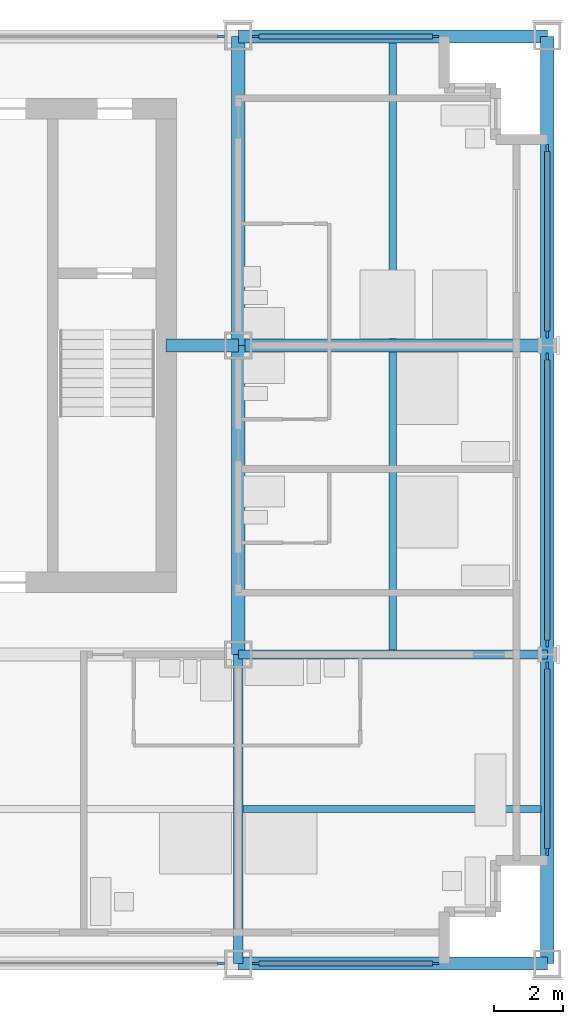
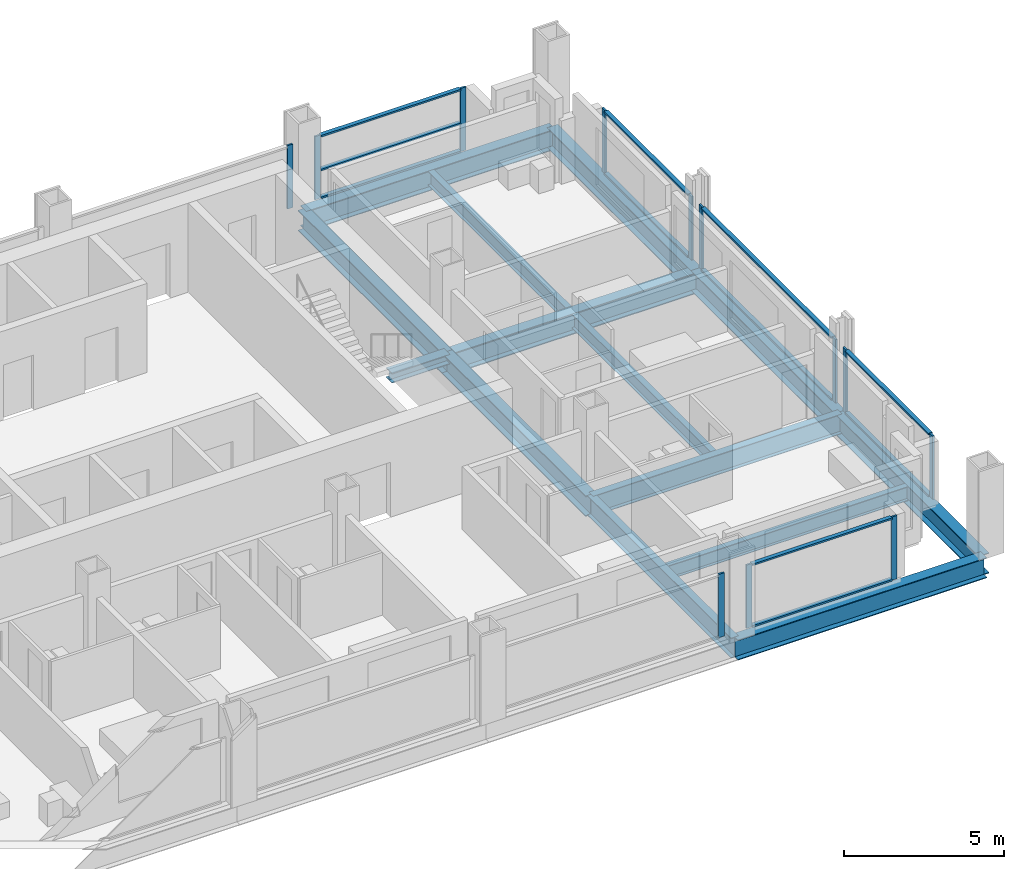
# One storey, part 5 of 14: 24 members, 13 beams, 7 elements without a shape of their own.
"""IFC4 building model written with IfcOpenShell, lengths in metres."""

from ifc_helpers import new_model, si_unit, direction, frame, origin, origin_2d, place, context, subcontext, project, spatial, rectangle, i_section, extrude, material, material_profile, profile_set, type_object, element, aggregate, save


model = new_model("IFC4")

# Units and contexts
model_context = context("Model", 3, precision=1e-05, world=origin(), true_north=direction((0.0, 1.0)))
body_context = subcontext(model_context, "Body", "Model", "MODEL_VIEW")
ifc_project = project(units=[si_unit("LENGTHUNIT", "METRE"), si_unit("AREAUNIT", "SQUARE_METRE"), si_unit("VOLUMEUNIT", "CUBIC_METRE"), si_unit("PLANEANGLEUNIT", "RADIAN"), si_unit("MASSUNIT", "GRAM", prefix="KILO")], contexts=[model_context])

# Site, building, storey
site_placement = place(None, origin())
site = spatial("IfcSite", under=ifc_project, at=site_placement, CompositionType="ELEMENT")
building_placement = place(site_placement, origin())
building = spatial("IfcBuilding", under=site, at=building_placement, Name="Loomwork Tower", CompositionType="ELEMENT")
storey_placement = place(building_placement, frame((0.0, 0.0, 170.60009765625)))
storey = spatial("IfcBuildingStorey", under=building, at=storey_placement, Name="L46", CompositionType="ELEMENT", Elevation=170.60009765625)

# Beams
ifc_material_1 = material(Name="Steel ASTM A992", Category="steel")
ifc_material_profile_1 = material_profile(ifc_material_1, i_section(OverallWidth=0.383544921875, OverallDepth=0.794921875, WebThickness=0.02099609375, FlangeThickness=0.0380859375, at=origin_2d()), Name="W30x235")
ifc_profile_set_1 = profile_set([ifc_material_profile_1], Name="Steel ASTM A992")
beam_type_1 = type_object("IfcBeamType", Name="CORE FLANK GIRDER W30x235", PredefinedType="BEAM", material=ifc_profile_set_1)
for number, where, z_axis, x_axis, name in (
    (1, (36.0, 18.0, -0.59765625), (1.0, 0.0, 0.0), (0.0, 1.0, 0.0), "Core Flank Girder F/6-F/7 L46"),
    (2, (36.0, 9.0, -0.59765625), (0.0, 1.0, 0.0), (-1.0, 0.0, 0.0), "Core Flank Girder E/6-F/6 L46"),
    (3, (36.0, 18.0, -0.59765625), (0.0, 1.0, 0.0), (-1.0, 0.0, 0.0), "Core Flank Girder F/6-G/6 L46"),
):
    element("IfcBeam", number, at=place(storey_placement, frame(where, z_axis=z_axis, x_axis=x_axis)), inside=storey, type_object=beam_type_1, Name=name, PredefinedType="BEAM", context=body_context, shape_type="SweptSolid", body=[
        extrude(i_section(OverallWidth=0.383544921875, OverallDepth=0.794921875, WebThickness=0.02099609375, FlangeThickness=0.0380859375, at=origin_2d()), origin(), (0.0, 0.0, 1.0), 9.0),
    ])

# Member
ifc_material_2 = material(Name="Steel ASTM A992", Category="steel")
ifc_material_profile_2 = material_profile(ifc_material_2, i_section(OverallWidth=0.373291015625, OverallDepth=0.373291015625, WebThickness=0.016357421875, FlangeThickness=0.026123046875, at=origin_2d()), Name="W14x132")
ifc_profile_set_2 = profile_set([ifc_material_profile_2], Name="Steel ASTM A992")
member_type_1 = type_object("IfcMemberType", Name="CORE LINK STRUT W14x132", PredefinedType="STRUT", material=ifc_profile_set_2)
member_1_placement = place(storey_placement, frame((36.0, 18.0, -0.38671875), z_axis=(-1.0, 0.0, 0.0), x_axis=(0.0, -1.0, 0.0)))
element("IfcMember", 4, at=member_1_placement, inside=storey, type_object=member_type_1, Name="Core link strut F/6-33.900,18.000 L46", PredefinedType="STRUT", context=body_context, shape_type="SweptSolid", body=[
    extrude(i_section(OverallWidth=0.373291015625, OverallDepth=0.373291015625, WebThickness=0.016357421875, FlangeThickness=0.026123046875, at=origin_2d()), origin(), (0.0, 0.0, 1.0), 2.10009765625),
])

# Beams
ifc_material_3 = material(Name="Steel ASTM A992", Category="steel")
ifc_material_profile_3 = material_profile(ifc_material_3, i_section(OverallWidth=0.2666015625, OverallDepth=0.761962890625, WebThickness=0.014404296875, FlangeThickness=0.021484375, at=origin_2d()), Name="W30x116")
ifc_profile_set_3 = profile_set([ifc_material_profile_3], Name="Steel ASTM A992")
beam_type_2 = type_object("IfcBeamType", Name="FLOOR GIRDER W30x116", PredefinedType="BEAM", material=ifc_profile_set_3)
for number, where, z_axis, x_axis, name in (
    (5, (36.0, 9.0, -0.5810546875), (1.0, 0.0, 0.0), (0.0, 1.0, 0.0), "Floor Girder E/6-E/7 L46"),
    (6, (36.0, 0.0, -0.5810546875), (0.0, 1.0, 0.0), (-1.0, 0.0, 0.0), "Floor Girder D/6-E/6 L46"),
):
    element("IfcBeam", number, at=place(storey_placement, frame(where, z_axis=z_axis, x_axis=x_axis)), inside=storey, type_object=beam_type_2, Name=name, PredefinedType="BEAM", context=body_context, shape_type="SweptSolid", body=[
        extrude(i_section(OverallWidth=0.2666015625, OverallDepth=0.761962890625, WebThickness=0.014404296875, FlangeThickness=0.021484375, at=origin_2d()), origin(), (0.0, 0.0, 1.0), 9.0),
    ])
ifc_material_4 = material(Name="Steel ASTM A992", Category="steel")
ifc_material_profile_4 = material_profile(ifc_material_4, i_section(OverallWidth=0.2109375, OverallDepth=0.53857421875, WebThickness=0.011474609375, FlangeThickness=0.018798828125, at=origin_2d()), Name="W21x73")
ifc_profile_set_4 = profile_set([ifc_material_profile_4], Name="Steel ASTM A992")
beam_type_3 = type_object("IfcBeamType", Name="FLOOR JOIST W21x73", PredefinedType="JOIST", material=ifc_profile_set_4)
beam_1_placement = place(storey_placement, frame((36.133056640625, 4.5, -0.46923828125), z_axis=(1.0, 0.0, 0.0), x_axis=(0.0, 1.0, 0.0)))
element("IfcBeam", 7, at=beam_1_placement, inside=storey, type_object=beam_type_3, Name="Floor Joist 36.000,4.500-45.000,4.500 L46", PredefinedType="JOIST", context=body_context, shape_type="SweptSolid", body=[
    extrude(i_section(OverallWidth=0.2109375, OverallDepth=0.53857421875, WebThickness=0.011474609375, FlangeThickness=0.018798828125, at=origin_2d()), origin(), (0.0, 0.0, 1.0), 8.677001953125),
])
beam_2_placement = place(storey_placement, frame((40.5, 9.133056640625, -0.46923828125), z_axis=(0.0, 1.0, 0.0), x_axis=(-1.0, 0.0, 0.0)))
element("IfcBeam", 8, at=beam_2_placement, inside=storey, type_object=beam_type_3, Name="Floor Joist 40.500,9.000-40.500,18.000 L46", PredefinedType="JOIST", context=body_context, shape_type="SweptSolid", body=[
    extrude(i_section(OverallWidth=0.2109375, OverallDepth=0.53857421875, WebThickness=0.011474609375, FlangeThickness=0.018798828125, at=origin_2d()), origin(), (0.0, 0.0, 1.0), 8.676025390625),
])
beam_3_placement = place(storey_placement, frame((40.5, 18.19091796875, -0.46923828125), z_axis=(0.0, 1.0, 0.0), x_axis=(-1.0, 0.0, 0.0)))
element("IfcBeam", 9, at=beam_3_placement, inside=storey, type_object=beam_type_3, Name="Floor Joist 40.500,18.000-40.500,27.000 L46", PredefinedType="JOIST", context=body_context, shape_type="SweptSolid", body=[
    extrude(i_section(OverallWidth=0.2109375, OverallDepth=0.53857421875, WebThickness=0.011474609375, FlangeThickness=0.018798828125, at=origin_2d()), origin(), (0.0, 0.0, 1.0), 8.619140625),
])

# Curtain wall, member
ifc_material_5 = material(Name="Aluminium curtain wall frame", Category="aluminium")
curtain_wall_type_1 = type_object("IfcCurtainWallType", Name="Outer skin glazing hotel", PredefinedType="NOTDEFINED", material=ifc_material_5)
curtain_wall_1_placement = place(storey_placement, origin())
curtain_wall_1 = element("IfcCurtainWall", 10, at=curtain_wall_1_placement, inside=storey, type_object=curtain_wall_type_1, Name="Outer skin glazing hotel cw/S-27", PredefinedType="NOTDEFINED")
ifc_material_6 = material(Name="Aluminium curtain wall frame", Category="aluminium")
ifc_material_profile_5 = material_profile(ifc_material_6, rectangle(XDim=0.06494140625, YDim=0.199951171875, at=origin_2d()), Name="AL 65x200")
ifc_profile_set_5 = profile_set([ifc_material_profile_5], Name="Aluminium curtain wall frame")
member_type_2 = type_object("IfcMemberType", Name="Outer skin glazing hotel mullion", PredefinedType="MULLION", material=ifc_profile_set_5)
member_2_placement = place(storey_placement, frame((35.5, 0.0, 0.0), z_axis=(0.0, 0.0, 1.0), x_axis=(0.0, 1.0, 0.0)))
member_2 = element("IfcMember", 11, at=member_2_placement, type_object=member_type_2, Name="CW1 mullion 2", PredefinedType="MULLION", context=body_context, shape_type="SweptSolid", body=[
    extrude(rectangle(XDim=0.06494140625, YDim=0.199951171875, at=origin_2d()), origin(), (0.0, 0.0, 1.0), 2.420166015625),
])
aggregate(curtain_wall_1, [member_2])

# Curtain wall, members
curtain_wall_2_placement = place(storey_placement, origin())
curtain_wall_2 = element("IfcCurtainWall", 12, at=curtain_wall_2_placement, inside=storey, type_object=curtain_wall_type_1, Name="Outer skin glazing hotel cw/S-36", PredefinedType="NOTDEFINED")
member_3_placement = place(storey_placement, frame((36.5, 0.0, 0.0), z_axis=(0.0, 0.0, 1.0), x_axis=(0.0, 1.0, 0.0)))
member_3 = element("IfcMember", 13, at=member_3_placement, type_object=member_type_2, Name="CW1 mullion 1", PredefinedType="MULLION", context=body_context, shape_type="SweptSolid", body=[
    extrude(rectangle(XDim=0.06494140625, YDim=0.199951171875, at=origin_2d()), origin(), (0.0, 0.0, 1.0), 2.420166015625),
])
member_4_placement = place(storey_placement, frame((41.75, 0.0, 0.0), z_axis=(0.0, 0.0, 1.0), x_axis=(0.0, 1.0, 0.0)))
member_4 = element("IfcMember", 14, at=member_4_placement, type_object=member_type_2, Name="CW1 mullion 2", PredefinedType="MULLION", context=body_context, shape_type="SweptSolid", body=[
    extrude(rectangle(XDim=0.06494140625, YDim=0.199951171875, at=origin_2d()), origin(), (0.0, 0.0, 1.0), 2.420166015625),
])

curtain_wall_3_placement = place(storey_placement, origin())
curtain_wall_3 = element("IfcCurtainWall", 15, at=curtain_wall_3_placement, inside=storey, type_object=curtain_wall_type_1, Name="Outer skin glazing hotel cw/E-0", PredefinedType="NOTDEFINED")
member_5_placement = place(storey_placement, frame((45.0, 3.25, 0.0), z_axis=(0.0, 0.0, 1.0), x_axis=(-1.0, 0.0, 0.0)))
member_5 = element("IfcMember", 16, at=member_5_placement, type_object=member_type_2, Name="CW1 mullion 1", PredefinedType="MULLION", context=body_context, shape_type="SweptSolid", body=[
    extrude(rectangle(XDim=0.06494140625, YDim=0.199951171875, at=origin_2d()), origin(), (0.0, 0.0, 1.0), 2.420166015625),
])
member_6_placement = place(storey_placement, frame((45.0, 8.67529296875, 0.0), z_axis=(0.0, 0.0, 1.0), x_axis=(-1.0, 0.0, 0.0)))
member_6 = element("IfcMember", 17, at=member_6_placement, type_object=member_type_2, Name="CW1 mullion 2", PredefinedType="MULLION", context=body_context, shape_type="SweptSolid", body=[
    extrude(rectangle(XDim=0.06494140625, YDim=0.199951171875, at=origin_2d()), origin(), (0.0, 0.0, 1.0), 2.420166015625),
])

curtain_wall_4_placement = place(storey_placement, origin())
curtain_wall_4 = element("IfcCurtainWall", 18, at=curtain_wall_4_placement, inside=storey, type_object=curtain_wall_type_1, Name="Outer skin glazing hotel cw/E-9", PredefinedType="NOTDEFINED")
member_7_placement = place(storey_placement, frame((45.0, 9.32470703125, 0.0), z_axis=(0.0, 0.0, 1.0), x_axis=(-1.0, 0.0, 0.0)))
member_7 = element("IfcMember", 19, at=member_7_placement, type_object=member_type_2, Name="CW1 mullion 1", PredefinedType="MULLION", context=body_context, shape_type="SweptSolid", body=[
    extrude(rectangle(XDim=0.06494140625, YDim=0.199951171875, at=origin_2d()), origin(), (0.0, 0.0, 1.0), 2.420166015625),
])
member_8_placement = place(storey_placement, frame((45.0, 17.67529296875, 0.0), z_axis=(0.0, 0.0, 1.0), x_axis=(-1.0, 0.0, 0.0)))
member_8 = element("IfcMember", 20, at=member_8_placement, type_object=member_type_2, Name="CW1 mullion 2", PredefinedType="MULLION", context=body_context, shape_type="SweptSolid", body=[
    extrude(rectangle(XDim=0.06494140625, YDim=0.199951171875, at=origin_2d()), origin(), (0.0, 0.0, 1.0), 2.420166015625),
])

curtain_wall_5_placement = place(storey_placement, origin())
curtain_wall_5 = element("IfcCurtainWall", 21, at=curtain_wall_5_placement, inside=storey, type_object=curtain_wall_type_1, Name="Outer skin glazing hotel cw/E-18", PredefinedType="NOTDEFINED")
member_9_placement = place(storey_placement, frame((45.0, 18.32470703125, 0.0), z_axis=(0.0, 0.0, 1.0), x_axis=(-1.0, 0.0, 0.0)))
member_9 = element("IfcMember", 22, at=member_9_placement, type_object=member_type_2, Name="CW1 mullion 1", PredefinedType="MULLION", context=body_context, shape_type="SweptSolid", body=[
    extrude(rectangle(XDim=0.06494140625, YDim=0.199951171875, at=origin_2d()), origin(), (0.0, 0.0, 1.0), 2.420166015625),
])
member_10_placement = place(storey_placement, frame((45.0, 23.75, 0.0), z_axis=(0.0, 0.0, 1.0), x_axis=(-1.0, 0.0, 0.0)))
member_10 = element("IfcMember", 23, at=member_10_placement, type_object=member_type_2, Name="CW1 mullion 2", PredefinedType="MULLION", context=body_context, shape_type="SweptSolid", body=[
    extrude(rectangle(XDim=0.06494140625, YDim=0.199951171875, at=origin_2d()), origin(), (0.0, 0.0, 1.0), 2.420166015625),
])

# Member
ifc_material_7 = material(Name="Aluminium curtain wall frame", Category="aluminium")
ifc_material_profile_6 = material_profile(ifc_material_7, rectangle(XDim=0.14990234375, YDim=0.06494140625, at=origin_2d()), Name="AL 65x150")
ifc_profile_set_6 = profile_set([ifc_material_profile_6], Name="Aluminium curtain wall frame")
member_type_3 = type_object("IfcMemberType", Name="Outer skin glazing hotel transom", PredefinedType="USERDEFINED", material=ifc_profile_set_6)
member_11_placement = place(storey_placement, frame((36.60009765625, 0.0, 0.032470703125), z_axis=(1.0, 0.0, 0.0), x_axis=(0.0, 1.0, 0.0)))
member_11 = element("IfcMember", 24, at=member_11_placement, type_object=member_type_3, Name="CW1 transom 1.1", ObjectType="TRANSOM", PredefinedType="USERDEFINED", context=body_context, shape_type="SweptSolid", body=[
    extrude(rectangle(XDim=0.14990234375, YDim=0.06494140625, at=origin_2d()), origin(), (0.0, 0.0, 1.0), 5.0498046875),
])

member_12_placement = place(storey_placement, frame((36.60009765625, 0.0, 2.3876953125), z_axis=(1.0, 0.0, 0.0), x_axis=(0.0, 1.0, 0.0)))
member_12 = element("IfcMember", 25, at=member_12_placement, type_object=member_type_3, Name="CW1 transom 1.2", ObjectType="TRANSOM", PredefinedType="USERDEFINED", context=body_context, shape_type="SweptSolid", body=[
    extrude(rectangle(XDim=0.14990234375, YDim=0.06494140625, at=origin_2d()), origin(), (0.0, 0.0, 1.0), 5.0498046875),
])

aggregate(curtain_wall_2, [member_3, member_4, member_11, member_12])

member_13_placement = place(storey_placement, frame((45.0, 3.35009765625, 0.032470703125), z_axis=(0.0, 1.0, 0.0), x_axis=(-1.0, 0.0, 0.0)))
member_13 = element("IfcMember", 26, at=member_13_placement, type_object=member_type_3, Name="CW1 transom 1.1", ObjectType="TRANSOM", PredefinedType="USERDEFINED", context=body_context, shape_type="SweptSolid", body=[
    extrude(rectangle(XDim=0.14990234375, YDim=0.06494140625, at=origin_2d()), origin(), (0.0, 0.0, 1.0), 5.22509765625),
])

member_14_placement = place(storey_placement, frame((45.0, 3.35009765625, 2.3876953125), z_axis=(0.0, 1.0, 0.0), x_axis=(-1.0, 0.0, 0.0)))
member_14 = element("IfcMember", 27, at=member_14_placement, type_object=member_type_3, Name="CW1 transom 1.2", ObjectType="TRANSOM", PredefinedType="USERDEFINED", context=body_context, shape_type="SweptSolid", body=[
    extrude(rectangle(XDim=0.14990234375, YDim=0.06494140625, at=origin_2d()), origin(), (0.0, 0.0, 1.0), 5.22509765625),
])

aggregate(curtain_wall_3, [member_5, member_6, member_13, member_14])

member_15_placement = place(storey_placement, frame((45.0, 9.4248046875, 0.032470703125), z_axis=(0.0, 1.0, 0.0), x_axis=(-1.0, 0.0, 0.0)))
member_15 = element("IfcMember", 28, at=member_15_placement, type_object=member_type_3, Name="CW1 transom 1.1", ObjectType="TRANSOM", PredefinedType="USERDEFINED", context=body_context, shape_type="SweptSolid", body=[
    extrude(rectangle(XDim=0.14990234375, YDim=0.06494140625, at=origin_2d()), origin(), (0.0, 0.0, 1.0), 8.150390625),
])

member_16_placement = place(storey_placement, frame((45.0, 9.4248046875, 2.3876953125), z_axis=(0.0, 1.0, 0.0), x_axis=(-1.0, 0.0, 0.0)))
member_16 = element("IfcMember", 29, at=member_16_placement, type_object=member_type_3, Name="CW1 transom 1.2", ObjectType="TRANSOM", PredefinedType="USERDEFINED", context=body_context, shape_type="SweptSolid", body=[
    extrude(rectangle(XDim=0.14990234375, YDim=0.06494140625, at=origin_2d()), origin(), (0.0, 0.0, 1.0), 8.150390625),
])

aggregate(curtain_wall_4, [member_7, member_8, member_15, member_16])

member_17_placement = place(storey_placement, frame((45.0, 18.4248046875, 0.032470703125), z_axis=(0.0, 1.0, 0.0), x_axis=(-1.0, 0.0, 0.0)))
member_17 = element("IfcMember", 30, at=member_17_placement, type_object=member_type_3, Name="CW1 transom 1.1", ObjectType="TRANSOM", PredefinedType="USERDEFINED", context=body_context, shape_type="SweptSolid", body=[
    extrude(rectangle(XDim=0.14990234375, YDim=0.06494140625, at=origin_2d()), origin(), (0.0, 0.0, 1.0), 5.22509765625),
])

member_18_placement = place(storey_placement, frame((45.0, 18.4248046875, 2.3876953125), z_axis=(0.0, 1.0, 0.0), x_axis=(-1.0, 0.0, 0.0)))
member_18 = element("IfcMember", 31, at=member_18_placement, type_object=member_type_3, Name="CW1 transom 1.2", ObjectType="TRANSOM", PredefinedType="USERDEFINED", context=body_context, shape_type="SweptSolid", body=[
    extrude(rectangle(XDim=0.14990234375, YDim=0.06494140625, at=origin_2d()), origin(), (0.0, 0.0, 1.0), 5.22509765625),
])

aggregate(curtain_wall_5, [member_9, member_10, member_17, member_18])

# Beams
ifc_material_8 = material(Name="Steel ASTM A992", Category="steel")
ifc_material_profile_7 = material_profile(ifc_material_8, i_section(OverallWidth=0.381103515625, OverallDepth=0.77978515625, WebThickness=0.01806640625, FlangeThickness=0.0302734375, at=origin_2d()), Name="W30x191")
ifc_profile_set_7 = profile_set([ifc_material_profile_7], Name="Steel ASTM A992")
beam_type_4 = type_object("IfcBeamType", Name="SPANDREL GIRDER W30x191", PredefinedType="SPANDREL", material=ifc_profile_set_7)
for number, where, z_axis, x_axis, name in (
    (32, (36.0, 0.0, -0.590087890625), (1.0, 0.0, 0.0), (0.0, 1.0, 0.0), "Spandrel Girder D/6-D/7 L46"),
    (33, (36.0, 27.0, -0.590087890625), (1.0, 0.0, 0.0), (0.0, 1.0, 0.0), "Spandrel Girder G/6-G/7 L46"),
    (34, (45.0, 0.0, -0.590087890625), (0.0, 1.0, 0.0), (-1.0, 0.0, 0.0), "Spandrel Girder D/7-E/7 L46"),
    (35, (45.0, 9.0, -0.590087890625), (0.0, 1.0, 0.0), (-1.0, 0.0, 0.0), "Spandrel Girder E/7-F/7 L46"),
    (36, (45.0, 18.0, -0.590087890625), (0.0, 1.0, 0.0), (-1.0, 0.0, 0.0), "Spandrel Girder F/7-G/7 L46"),
):
    element("IfcBeam", number, at=place(storey_placement, frame(where, z_axis=z_axis, x_axis=x_axis)), inside=storey, type_object=beam_type_4, Name=name, PredefinedType="SPANDREL", context=body_context, shape_type="SweptSolid", body=[
        extrude(i_section(OverallWidth=0.381103515625, OverallDepth=0.77978515625, WebThickness=0.01806640625, FlangeThickness=0.0302734375, at=origin_2d()), origin(), (0.0, 0.0, 1.0), 9.0),
    ])

# Curtain wall, member
ifc_material_9 = material(Name="Aluminium curtain wall frame", Category="aluminium")
curtain_wall_type_2 = type_object("IfcCurtainWallType", Name="Single skin glazing corridor", PredefinedType="NOTDEFINED", material=ifc_material_9)
curtain_wall_6_placement = place(storey_placement, origin())
curtain_wall_6 = element("IfcCurtainWall", 37, at=curtain_wall_6_placement, inside=storey, type_object=curtain_wall_type_2, Name="Single skin glazing corridor cw/N-27", PredefinedType="NOTDEFINED")
ifc_material_10 = material(Name="Aluminium curtain wall frame", Category="aluminium")
ifc_material_profile_8 = material_profile(ifc_material_10, rectangle(XDim=0.06494140625, YDim=0.199951171875, at=origin_2d()), Name="AL 65x200")
ifc_profile_set_8 = profile_set([ifc_material_profile_8], Name="Aluminium curtain wall frame")
member_type_4 = type_object("IfcMemberType", Name="Single skin glazing corridor mullion", PredefinedType="MULLION", material=ifc_profile_set_8)
member_19_placement = place(storey_placement, frame((35.5, 27.0, 0.0), z_axis=(0.0, 0.0, 1.0), x_axis=(0.0, -1.0, 0.0)))
member_19 = element("IfcMember", 38, at=member_19_placement, type_object=member_type_4, Name="CW3 mullion 1", PredefinedType="MULLION", context=body_context, shape_type="SweptSolid", body=[
    extrude(rectangle(XDim=0.06494140625, YDim=0.199951171875, at=origin_2d()), origin(), (0.0, 0.0, 1.0), 2.420166015625),
])
aggregate(curtain_wall_6, [member_19])

# Curtain wall, members
curtain_wall_7_placement = place(storey_placement, origin())
curtain_wall_7 = element("IfcCurtainWall", 39, at=curtain_wall_7_placement, inside=storey, type_object=curtain_wall_type_2, Name="Single skin glazing corridor cw/N-36", PredefinedType="NOTDEFINED")
member_20_placement = place(storey_placement, frame((41.75, 27.0, 0.0), z_axis=(0.0, 0.0, 1.0), x_axis=(0.0, -1.0, 0.0)))
member_20 = element("IfcMember", 40, at=member_20_placement, type_object=member_type_4, Name="CW3 mullion 1", PredefinedType="MULLION", context=body_context, shape_type="SweptSolid", body=[
    extrude(rectangle(XDim=0.06494140625, YDim=0.199951171875, at=origin_2d()), origin(), (0.0, 0.0, 1.0), 2.420166015625),
])
member_21_placement = place(storey_placement, frame((36.5, 27.0, 0.0), z_axis=(0.0, 0.0, 1.0), x_axis=(0.0, -1.0, 0.0)))
member_21 = element("IfcMember", 41, at=member_21_placement, type_object=member_type_4, Name="CW3 mullion 2", PredefinedType="MULLION", context=body_context, shape_type="SweptSolid", body=[
    extrude(rectangle(XDim=0.06494140625, YDim=0.199951171875, at=origin_2d()), origin(), (0.0, 0.0, 1.0), 2.420166015625),
])
ifc_material_11 = material(Name="Aluminium curtain wall frame", Category="aluminium")
ifc_material_profile_9 = material_profile(ifc_material_11, rectangle(XDim=0.14990234375, YDim=0.06494140625, at=origin_2d()), Name="AL 65x150")
ifc_profile_set_9 = profile_set([ifc_material_profile_9], Name="Aluminium curtain wall frame")
member_type_5 = type_object("IfcMemberType", Name="Single skin glazing corridor transom", PredefinedType="USERDEFINED", material=ifc_profile_set_9)
member_22_placement = place(storey_placement, frame((41.64990234375, 27.0, 0.032470703125), z_axis=(-1.0, 0.0, 0.0), x_axis=(0.0, -1.0, 0.0)))
member_22 = element("IfcMember", 42, at=member_22_placement, type_object=member_type_5, Name="CW3 transom 1.1", ObjectType="TRANSOM", PredefinedType="USERDEFINED", context=body_context, shape_type="SweptSolid", body=[
    extrude(rectangle(XDim=0.14990234375, YDim=0.06494140625, at=origin_2d()), origin(), (0.0, 0.0, 1.0), 5.0498046875),
])
member_23_placement = place(storey_placement, frame((41.64990234375, 27.0, 1.099853515625), z_axis=(-1.0, 0.0, 0.0), x_axis=(0.0, -1.0, 0.0)))
member_23 = element("IfcMember", 43, at=member_23_placement, type_object=member_type_5, Name="CW3 transom 1.2", ObjectType="TRANSOM", PredefinedType="USERDEFINED", context=body_context, shape_type="SweptSolid", body=[
    extrude(rectangle(XDim=0.14990234375, YDim=0.06494140625, at=origin_2d()), origin(), (0.0, 0.0, 1.0), 5.0498046875),
])
member_24_placement = place(storey_placement, frame((41.64990234375, 27.0, 2.3876953125), z_axis=(-1.0, 0.0, 0.0), x_axis=(0.0, -1.0, 0.0)))
member_24 = element("IfcMember", 44, at=member_24_placement, type_object=member_type_5, Name="CW3 transom 1.3", ObjectType="TRANSOM", PredefinedType="USERDEFINED", context=body_context, shape_type="SweptSolid", body=[
    extrude(rectangle(XDim=0.14990234375, YDim=0.06494140625, at=origin_2d()), origin(), (0.0, 0.0, 1.0), 5.0498046875),
])
aggregate(curtain_wall_7, [member_20, member_21, member_22, member_23, member_24])

save(model, "model.ifc")
